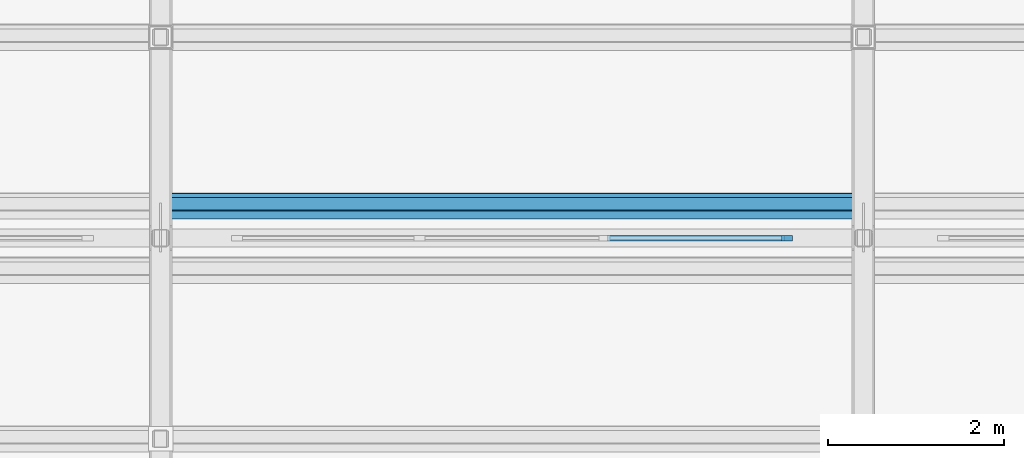
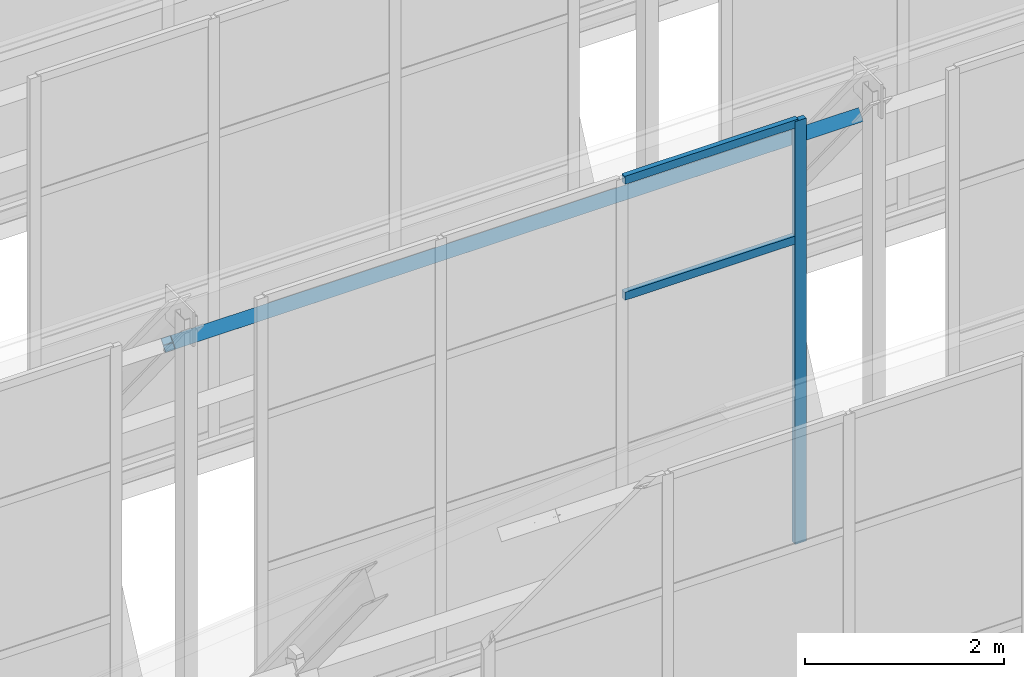
# One storey, part 12 of 34: 4 members, 1 element without a shape of its own.
"""IFC4 building model written with IfcOpenShell, lengths in metres."""

from ifc_helpers import new_model, si_unit, direction, frame, origin, origin_2d, place, context, subcontext, project, spatial, rectangle, i_section, extrude, material, layer, layer_set, material_profile, profile_set, type_object, element, aggregate, save


model = new_model("IFC4")

# Units and contexts
model_context = context("Model", 3, precision=1e-05, world=origin(), true_north=direction((0.0, 1.0)))
body_context = subcontext(model_context, "Body", "Model", "MODEL_VIEW")
ifc_project = project(units=[si_unit("LENGTHUNIT", "METRE"), si_unit("AREAUNIT", "SQUARE_METRE"), si_unit("VOLUMEUNIT", "CUBIC_METRE"), si_unit("PLANEANGLEUNIT", "RADIAN"), si_unit("MASSUNIT", "GRAM", prefix="KILO")], contexts=[model_context])

# Site, building, storey
site_placement = place(None, origin())
site = spatial("IfcSite", under=ifc_project, at=site_placement, CompositionType="ELEMENT")
building_placement = place(site_placement, origin())
building = spatial("IfcBuilding", under=site, at=building_placement, Name="Qorikala Patio Media Centre", CompositionType="ELEMENT")
storey_placement = place(building_placement, frame((0.0, 0.0, 32.699951171875)))
storey = spatial("IfcBuildingStorey", under=building, at=storey_placement, Name="RF", CompositionType="ELEMENT", Elevation=32.699951171875)

# Curtain wall, members
ifc_material_1 = material(Name="Bronze Anodised Aluminium and Low-E Glass", Category="aluminium")
ifc_layer = layer(ifc_material_1, 0.159912109375)
ifc_layer_set = layer_set([ifc_layer], Name="Bronze Anodised Aluminium and Low-E Glass")
curtain_wall_type = type_object("IfcCurtainWallType", Name="CW-SAW-632X520", PredefinedType="USERDEFINED", material=ifc_layer_set)
curtain_wall_placement = place(storey_placement, origin())
curtain_wall = element("IfcCurtainWall", 1, at=curtain_wall_placement, inside=storey, type_object=curtain_wall_type, Name="RF Sawtooth Glazing 125", ObjectType="SAWTOOTH GLAZING", PredefinedType="USERDEFINED")
ifc_material_2 = material(Name="Bronze Anodised Aluminium", Category="aluminium")
ifc_material_profile_1 = material_profile(ifc_material_2, rectangle(XDim=0.06005859375, YDim=0.1298828125, at=origin_2d()), Name="ALU MULLION 60x130")
ifc_profile_set_1 = profile_set([ifc_material_profile_1], Name="Bronze Anodised Aluminium")
member_type_1 = type_object("IfcMemberType", Name="CWM-60X130", PredefinedType="MULLION", material=ifc_profile_set_1)
member_1_placement = place(storey_placement, frame((34.1298828125, 16.71435546875, 2.75), z_axis=(0.0, 0.0, 1.0), x_axis=(0.0, 1.0, 0.0)))
member_1 = element("IfcMember", 2, at=member_1_placement, type_object=member_type_1, Name="CWS632520 mullion 4", PredefinedType="MULLION", context=body_context, shape_type="SweptSolid", body=[
    extrude(rectangle(XDim=0.06005859375, YDim=0.1298828125, at=origin_2d()), origin(), (0.0, 0.0, 1.0), 5.199951171875),
])
ifc_material_profile_2 = material_profile(ifc_material_2, rectangle(XDim=0.06005859375, YDim=0.10009765625, at=origin_2d()), Name="ALU TRANSOM 60x100")
ifc_profile_set_2 = profile_set([ifc_material_profile_2], Name="Bronze Anodised Aluminium")
member_type_2 = type_object("IfcMemberType", Name="CWT-60X100", PredefinedType="USERDEFINED", material=ifc_profile_set_2)
member_2_placement = place(storey_placement, frame((32.083251953125, 16.71435546875, 6.494140625), z_axis=(1.0, 0.0, 0.0), x_axis=(0.0, 1.0, 0.0)))
member_2 = element("IfcMember", 3, at=member_2_placement, type_object=member_type_2, Name="CWS632520 transom 3.3", ObjectType="TRANSOM", PredefinedType="USERDEFINED", context=body_context, shape_type="SweptSolid", body=[
    extrude(rectangle(XDim=0.06005859375, YDim=0.10009765625, at=origin_2d()), origin(), (0.0, 0.0, 1.0), 2.016845703125),
])
member_3_placement = place(storey_placement, frame((32.083251953125, 16.71435546875, 7.920166015625), z_axis=(1.0, 0.0, 0.0), x_axis=(0.0, 1.0, 0.0)))
member_3 = element("IfcMember", 4, at=member_3_placement, type_object=member_type_2, Name="CWS632520 transom 3.4", ObjectType="TRANSOM", PredefinedType="USERDEFINED", context=body_context, shape_type="SweptSolid", body=[
    extrude(rectangle(XDim=0.06005859375, YDim=0.10009765625, at=origin_2d()), origin(), (0.0, 0.0, 1.0), 2.016845703125),
])
aggregate(curtain_wall, [member_1, member_2, member_3])

# Member
ifc_material_3 = material(Name="Steel S355", Category="steel")
ifc_material_profile_3 = material_profile(ifc_material_3, i_section(OverallWidth=0.14794921875, OverallDepth=0.26611328125, WebThickness=0.007568359375, FlangeThickness=0.012939453125, at=origin_2d()), Name="W250X45")
ifc_profile_set_3 = profile_set([ifc_material_profile_3], Name="Steel S355")
member_type_3 = type_object("IfcMemberType", Name="PURLIN-W250X45", PredefinedType="PURLIN", material=ifc_profile_set_3)
member_4_placement = place(storey_placement, frame((27.0, 17.080078125, 7.450439453125), z_axis=(1.0, 0.0, 0.0), x_axis=(0.0, 0.62899480571, 0.777409502379)))
element("IfcMember", 5, at=member_4_placement, inside=storey, type_object=member_type_3, Name="SAW-V1 Bay 4 Roof Purlin", PredefinedType="PURLIN", context=body_context, shape_type="SweptSolid", body=[
    extrude(i_section(OverallWidth=0.14794921875, OverallDepth=0.26611328125, WebThickness=0.007568359375, FlangeThickness=0.012939453125, at=origin_2d()), origin(), (0.0, 0.0, 1.0), 8.0),
])

save(model, "model.ifc")
